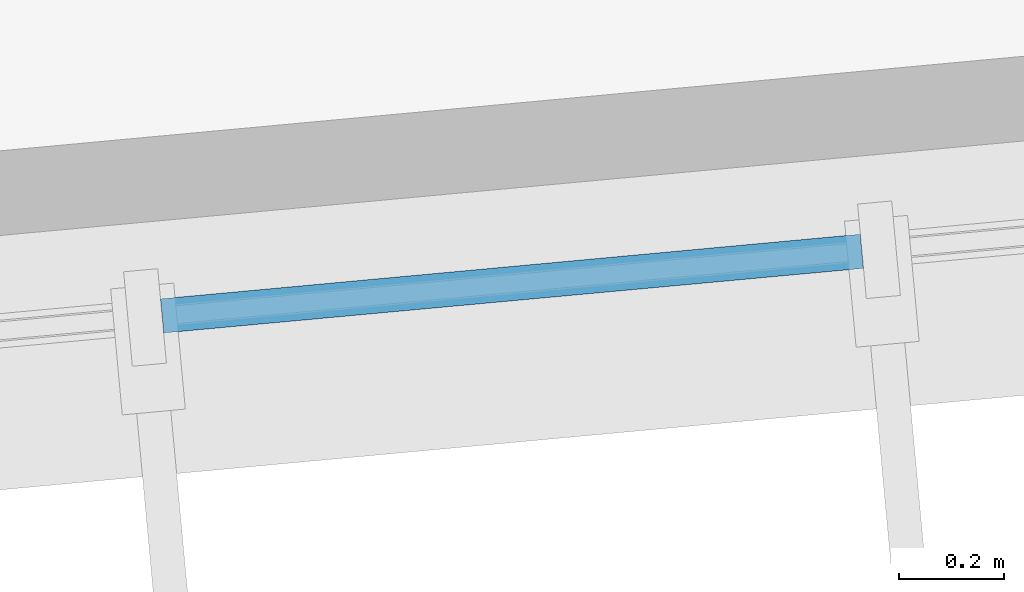
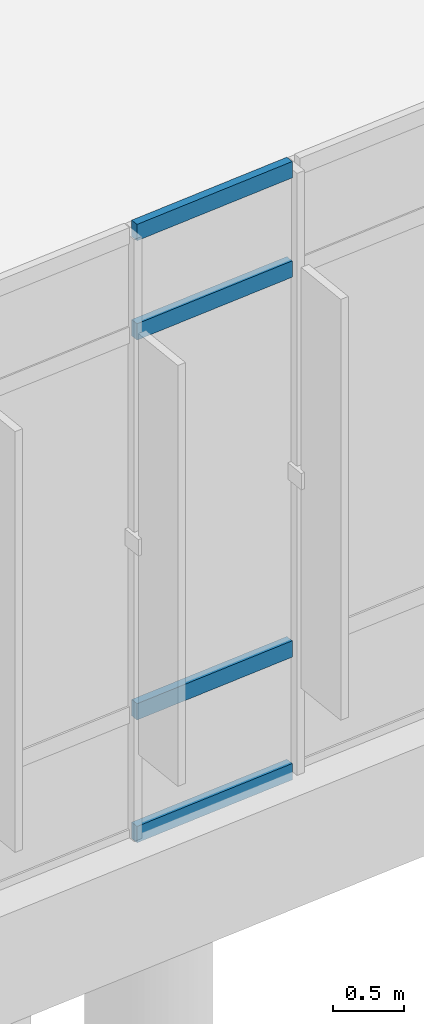
# One storey, part 38 of 140: 4 members, 1 element without a shape of its own.
"""IFC4 building model written with IfcOpenShell, lengths in metres."""

from ifc_helpers import new_model, si_unit, direction, frame, origin, origin_2d, place, context, subcontext, project, spatial, rectangle, extrude, material, layer, layer_set, material_profile, profile_set, type_object, element, aggregate, save


model = new_model("IFC4")

# Units and contexts
model_context = context("Model", 3, precision=1e-05, world=origin(), true_north=direction((0.0, 1.0)))
body_context = subcontext(model_context, "Body", "Model", "MODEL_VIEW")
ifc_project = project(units=[si_unit("LENGTHUNIT", "METRE"), si_unit("AREAUNIT", "SQUARE_METRE"), si_unit("VOLUMEUNIT", "CUBIC_METRE"), si_unit("PLANEANGLEUNIT", "RADIAN"), si_unit("MASSUNIT", "GRAM", prefix="KILO")], contexts=[model_context])

# Site, building, storey
site_placement = place(None, origin())
site = spatial("IfcSite", under=ifc_project, at=site_placement, CompositionType="ELEMENT")
building_placement = place(site_placement, origin())
building = spatial("IfcBuilding", under=site, at=building_placement, Name="Corvandel Quay Wholesale Market", CompositionType="ELEMENT")
storey_placement = place(building_placement, origin())
storey = spatial("IfcBuildingStorey", under=building, at=storey_placement, Name="L00", CompositionType="ELEMENT", Elevation=0.0)

# Curtain wall, members
ifc_material_1 = material(Name="Bronze anodised aluminium and low-E insulated glazing", Category="aluminium")
ifc_layer = layer(ifc_material_1, 0.174072265625)
ifc_layer_set = layer_set([ifc_layer], Name="Bronze anodised aluminium and low-E insulated glazing")
curtain_wall_type = type_object("IfcCurtainWallType", Name="Stick Curtain Wall System CW27 H5430", PredefinedType="NOTDEFINED", material=ifc_layer_set)
curtain_wall_placement = place(storey_placement, origin())
curtain_wall = element("IfcCurtainWall", 1, at=curtain_wall_placement, inside=storey, type_object=curtain_wall_type, Name="Curtain Wall CW-0116", PredefinedType="NOTDEFINED")
ifc_material_2 = material(Name="Anodised aluminium 6063-T6", Category="aluminium")
ifc_material_profile = material_profile(ifc_material_2, rectangle(XDim=0.06494140625, YDim=0.139892578125, at=origin_2d()), Name="ALU-TRN-65x140")
ifc_profile_set = profile_set([ifc_material_profile], Name="Anodised aluminium 6063-T6")
member_type = type_object("IfcMemberType", Name="Curtain Wall Transom TR01 65x140", PredefinedType="USERDEFINED", material=ifc_profile_set)
member_1_placement = place(storey_placement, frame((124.261962890625, 90.438232421875, 0.0), z_axis=(0.99576306711, 0.091956044829, 0.0), x_axis=(-0.091956044829, 0.99576306711, 0.0)))
member_1 = element("IfcMember", 2, at=member_1_placement, type_object=member_type, Name="Transom CW-0116-T03-0", ObjectType="TRANSOM", PredefinedType="USERDEFINED", context=body_context, shape_type="SweptSolid", body=[
    extrude(rectangle(XDim=0.06494140625, YDim=0.139892578125, at=origin_2d()), origin(), (0.0, 0.0, 1.0), 1.332763671875),
])
member_2_placement = place(storey_placement, frame((124.261962890625, 90.438232421875, 1.050048828125), z_axis=(0.99576306711, 0.091956044829, 0.0), x_axis=(-0.091956044829, 0.99576306711, 0.0)))
member_2 = element("IfcMember", 3, at=member_2_placement, type_object=member_type, Name="Transom CW-0116-T03-1", ObjectType="TRANSOM", PredefinedType="USERDEFINED", context=body_context, shape_type="SweptSolid", body=[
    extrude(rectangle(XDim=0.06494140625, YDim=0.139892578125, at=origin_2d()), origin(), (0.0, 0.0, 1.0), 1.332763671875),
])
member_3_placement = place(storey_placement, frame((124.261962890625, 90.438232421875, 4.300048828125), z_axis=(0.99576306711, 0.091956044829, 0.0), x_axis=(-0.091956044829, 0.99576306711, 0.0)))
member_3 = element("IfcMember", 4, at=member_3_placement, type_object=member_type, Name="Transom CW-0116-T03-2", ObjectType="TRANSOM", PredefinedType="USERDEFINED", context=body_context, shape_type="SweptSolid", body=[
    extrude(rectangle(XDim=0.06494140625, YDim=0.139892578125, at=origin_2d()), origin(), (0.0, 0.0, 1.0), 1.332763671875),
])
member_4_placement = place(storey_placement, frame((124.261962890625, 90.438232421875, 5.14990234375), z_axis=(0.99576306711, 0.091956044829, 0.0), x_axis=(-0.091956044829, 0.99576306711, 0.0)))
member_4 = element("IfcMember", 5, at=member_4_placement, type_object=member_type, Name="Transom CW-0116-T03-3", ObjectType="TRANSOM", PredefinedType="USERDEFINED", context=body_context, shape_type="SweptSolid", body=[
    extrude(rectangle(XDim=0.06494140625, YDim=0.139892578125, at=origin_2d()), origin(), (0.0, 0.0, 1.0), 1.332763671875),
])
aggregate(curtain_wall, [member_1, member_2, member_3, member_4])

save(model, "model.ifc")
